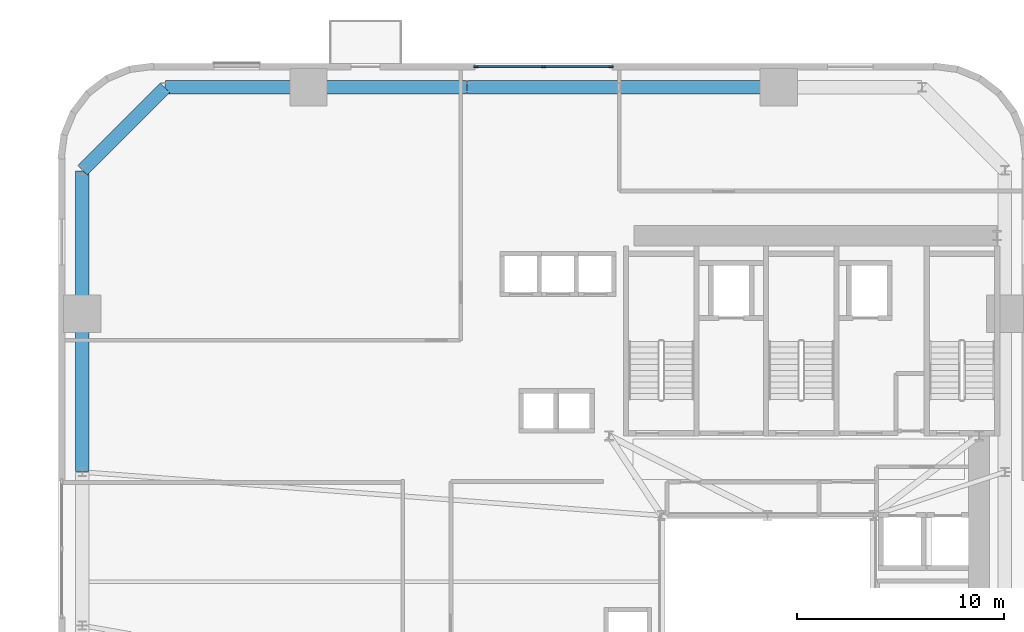
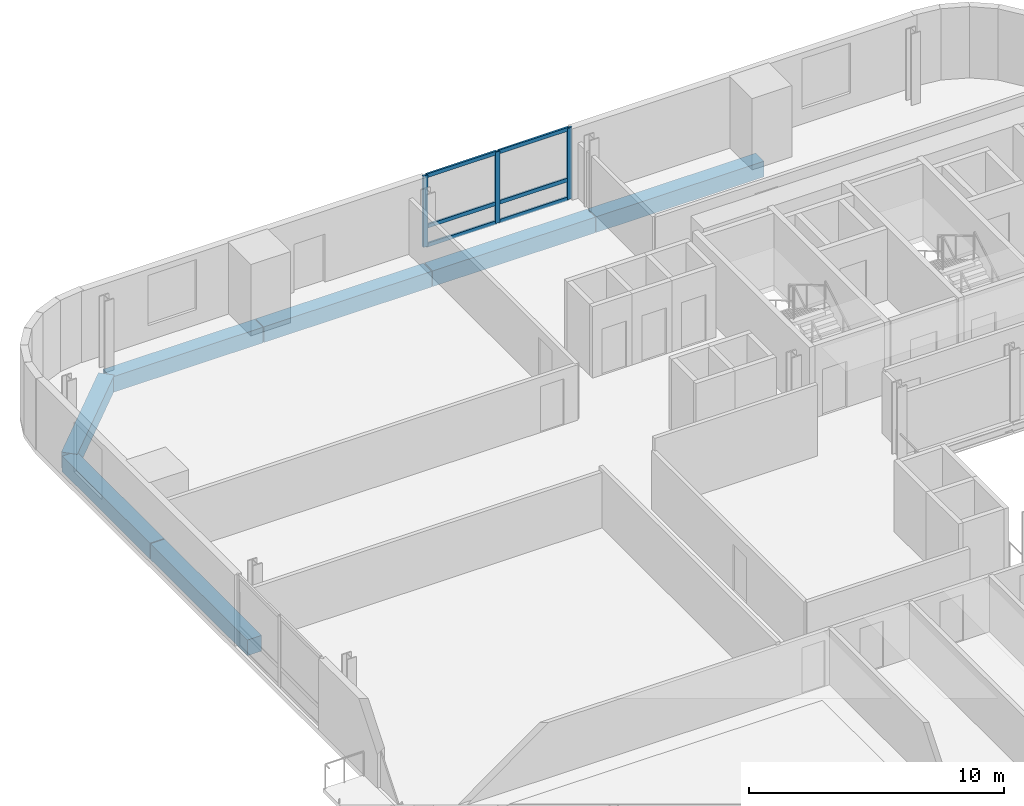
# One storey, part 4 of 12: 9 members, 7 beams, 1 element without a shape of its own.
"""IFC4 building model written with IfcOpenShell, lengths in metres."""

from ifc_helpers import new_model, si_unit, direction, frame, origin, origin_2d, place, context, subcontext, project, spatial, rectangle, extrude, source, transform, mapped, material, material_profile, profile_set, type_object, element, aggregate, save


model = new_model("IFC4")

# Units and contexts
model_context = context("Model", 3, precision=1e-05, world=origin(), true_north=direction((0.0, 1.0)))
body_context = subcontext(model_context, "Body", "Model", "MODEL_VIEW")
ifc_project = project(units=[si_unit("LENGTHUNIT", "METRE"), si_unit("AREAUNIT", "SQUARE_METRE"), si_unit("VOLUMEUNIT", "CUBIC_METRE"), si_unit("PLANEANGLEUNIT", "RADIAN"), si_unit("MASSUNIT", "GRAM", prefix="KILO")], contexts=[model_context])

# Site, building, storey
site_placement = place(None, origin())
site = spatial("IfcSite", under=ifc_project, at=site_placement, CompositionType="ELEMENT")
building_placement = place(site_placement, origin())
building = spatial("IfcBuilding", under=site, at=building_placement, Name="Vardaveli Station Tower", CompositionType="ELEMENT")
storey_placement = place(building_placement, frame((0.0, 0.0, 60.449951171875)))
storey = spatial("IfcBuildingStorey", under=building, at=storey_placement, Name="L15", CompositionType="ELEMENT", Elevation=60.449951171875)

# Beams
ifc_material_1 = material(Name="Precast concrete C45/55", Category="concrete")
ifc_material_profile_1 = material_profile(ifc_material_1, rectangle(XDim=0.64990234375, YDim=0.75, at=origin_2d()), Name="LPB 650x750")
ifc_profile_set_1 = profile_set([ifc_material_profile_1], Name="Precast concrete C45/55")
beam_type = type_object("IfcBeamType", Name="BM-LPB-750", PredefinedType="BEAM", material=ifc_profile_set_1)
shared_shape_1 = source(origin(), body_context, "Body", "SweptSolid", [
    extrude(rectangle(XDim=0.64990234375, YDim=0.75, at=origin_2d()), origin(), (0.0, 0.0, 1.0), 7.60009765625),
])
for number, where, z_axis, x_axis, name in (
    (1, (36.820068359375, 47.449951171875, -0.614990234375), (-1.0, 0.0, 0.0), (0.0, -1.0, 0.0), "RBM-L15-13"),
    (2, (21.780029296875, 47.449951171875, -0.614990234375), (-1.0, 0.0, 0.0), (0.0, -1.0, 0.0), "RBM-L15-15"),
    (3, (3.25, 36.52001953125, -0.614990234375), (0.0, -1.0, 0.0), (1.0, 0.0, 0.0), "RBM-L15-19"),
):
    element("IfcBeam", number, at=place(storey_placement, frame(where, z_axis=z_axis, x_axis=x_axis)), inside=storey, type_object=beam_type, Name=name, PredefinedType="BEAM", context=body_context, shape_type="MappedRepresentation", body=[
        mapped(shared_shape_1, transform((0.0, 0.0, 0.0), scale=1.0)),
    ])
shared_shape_2 = source(origin(), body_context, "Body", "SweptSolid", [
    extrude(rectangle(XDim=0.64990234375, YDim=0.75, at=origin_2d()), origin(), (0.0, 0.0, 1.0), 7.35986328125),
])
beam_1_placement = place(storey_placement, frame((29.179931640625, 47.449951171875, -0.614990234375), z_axis=(-1.0, 0.0, 0.0), x_axis=(0.0, -1.0, 0.0)))
element("IfcBeam", 4, at=beam_1_placement, inside=storey, type_object=beam_type, Name="RBM-L15-14", PredefinedType="BEAM", context=body_context, shape_type="MappedRepresentation", body=[
    mapped(shared_shape_2, transform((0.0, 0.0, 0.0), scale=1.0)),
])
shared_shape_3 = source(origin(), body_context, "Body", "SweptSolid", [
    extrude(rectangle(XDim=0.64990234375, YDim=0.75, at=origin_2d()), origin(), (0.0, 0.0, 1.0), 6.869873046875),
])
for number, where, z_axis, x_axis, name in (
    (5, (14.139892578125, 47.449951171875, -0.614990234375), (-1.0, 0.0, 0.0), (0.0, -1.0, 0.0), "RBM-L15-16"),
    (6, (3.25, 43.429931640625, -0.614990234375), (0.0, -1.0, 0.0), (1.0, 0.0, 0.0), "RBM-L15-18"),
):
    element("IfcBeam", number, at=place(storey_placement, frame(where, z_axis=z_axis, x_axis=x_axis)), inside=storey, type_object=beam_type, Name=name, PredefinedType="BEAM", context=body_context, shape_type="MappedRepresentation", body=[
        mapped(shared_shape_3, transform((0.0, 0.0, 0.0), scale=1.0)),
    ])
shared_shape_4 = source(origin(), body_context, "Body", "SweptSolid", [
    extrude(rectangle(XDim=0.64990234375, YDim=0.75, at=origin_2d()), origin(), (0.0, 0.0, 1.0), 5.61669921875),
])
beam_2_placement = place(storey_placement, frame((7.23583984375, 47.435791015625, -0.614990234375), z_axis=(-0.707106781187, -0.707106781187, 0.0), x_axis=(0.707106781187, -0.707106781187, 0.0)))
element("IfcBeam", 7, at=beam_2_placement, inside=storey, type_object=beam_type, Name="RBM-L15-17", PredefinedType="BEAM", context=body_context, shape_type="MappedRepresentation", body=[
    mapped(shared_shape_4, transform((0.0, 0.0, 0.0), scale=1.0)),
])

# Curtain wall, members
ifc_material_2 = material(Name="Travertine stone and solar-control glass", Category="masonry")
curtain_wall_type = type_object("IfcCurtainWallType", Name="CW-SYS-2", PredefinedType="NOTDEFINED", material=ifc_material_2)
curtain_wall_placement = place(storey_placement, origin())
curtain_wall = element("IfcCurtainWall", 8, at=curtain_wall_placement, inside=storey, type_object=curtain_wall_type, Name="CW-L15-N", PredefinedType="NOTDEFINED")
ifc_material_3 = material(Name="Anodised aluminium alloy 6063-T6", Category="aluminium")
ifc_material_profile_2 = material_profile(ifc_material_3, rectangle(XDim=0.0849609375, YDim=0.179931640625, at=origin_2d()), Name="CWT 85x180")
ifc_profile_set_2 = profile_set([ifc_material_profile_2], Name="Anodised aluminium alloy 6063-T6")
member_type_1 = type_object("IfcMemberType", Name="CW-SYS-2-TRAN", PredefinedType="NOTDEFINED", material=ifc_profile_set_2)
shared_shape_5 = source(origin(), body_context, "Body", "SweptSolid", [
    extrude(rectangle(XDim=0.0849609375, YDim=0.179931640625, at=origin_2d()), origin(), (0.0, 0.0, 1.0), 3.172607421875),
])
member_1_placement = place(storey_placement, frame((28.715087890625, 48.43994140625, 0.04248046875), z_axis=(-1.0, 0.0, 0.0), x_axis=(0.0, -1.0, 0.0)))
member_1 = element("IfcMember", 9, at=member_1_placement, type_object=member_type_1, Name="CW-2 transom 1.1", ObjectType="TRANSOM", PredefinedType="USERDEFINED", context=body_context, shape_type="MappedRepresentation", body=[
    mapped(shared_shape_5, transform((0.0, 0.0, 0.0), scale=1.0)),
])
member_2_placement = place(storey_placement, frame((28.715087890625, 48.43994140625, 0.949951171875), z_axis=(-1.0, 0.0, 0.0), x_axis=(0.0, -1.0, 0.0)))
member_2 = element("IfcMember", 10, at=member_2_placement, type_object=member_type_1, Name="CW-2 transom 1.2", ObjectType="TRANSOM", PredefinedType="USERDEFINED", context=body_context, shape_type="MappedRepresentation", body=[
    mapped(shared_shape_5, transform((0.0, 0.0, 0.0), scale=1.0)),
])
member_3_placement = place(storey_placement, frame((28.715087890625, 48.43994140625, 3.367431640625), z_axis=(-1.0, 0.0, 0.0), x_axis=(0.0, -1.0, 0.0)))
member_3 = element("IfcMember", 11, at=member_3_placement, type_object=member_type_1, Name="CW-2 transom 1.3", ObjectType="TRANSOM", PredefinedType="USERDEFINED", context=body_context, shape_type="MappedRepresentation", body=[
    mapped(shared_shape_5, transform((0.0, 0.0, 0.0), scale=1.0)),
])
member_4_placement = place(storey_placement, frame((25.45751953125, 48.43994140625, 0.04248046875), z_axis=(-1.0, 0.0, 0.0), x_axis=(0.0, -1.0, 0.0)))
member_4 = element("IfcMember", 12, at=member_4_placement, type_object=member_type_1, Name="CW-2 transom 2.1", ObjectType="TRANSOM", PredefinedType="USERDEFINED", context=body_context, shape_type="MappedRepresentation", body=[
    mapped(shared_shape_5, transform((0.0, 0.0, 0.0), scale=1.0)),
])
member_5_placement = place(storey_placement, frame((25.45751953125, 48.43994140625, 0.949951171875), z_axis=(-1.0, 0.0, 0.0), x_axis=(0.0, -1.0, 0.0)))
member_5 = element("IfcMember", 13, at=member_5_placement, type_object=member_type_1, Name="CW-2 transom 2.2", ObjectType="TRANSOM", PredefinedType="USERDEFINED", context=body_context, shape_type="MappedRepresentation", body=[
    mapped(shared_shape_5, transform((0.0, 0.0, 0.0), scale=1.0)),
])
member_6_placement = place(storey_placement, frame((25.45751953125, 48.43994140625, 3.367431640625), z_axis=(-1.0, 0.0, 0.0), x_axis=(0.0, -1.0, 0.0)))
member_6 = element("IfcMember", 14, at=member_6_placement, type_object=member_type_1, Name="CW-2 transom 2.3", ObjectType="TRANSOM", PredefinedType="USERDEFINED", context=body_context, shape_type="MappedRepresentation", body=[
    mapped(shared_shape_5, transform((0.0, 0.0, 0.0), scale=1.0)),
])
ifc_material_profile_3 = material_profile(ifc_material_3, rectangle(XDim=0.0849609375, YDim=0.219970703125, at=origin_2d()), Name="CWM 85x220")
ifc_profile_set_3 = profile_set([ifc_material_profile_3], Name="Anodised aluminium alloy 6063-T6")
member_type_2 = type_object("IfcMemberType", Name="CW-SYS-2-MULL", PredefinedType="MULLION", material=ifc_profile_set_3)
shared_shape_6 = source(origin(), body_context, "Body", "SweptSolid", [
    extrude(rectangle(XDim=0.0849609375, YDim=0.219970703125, at=origin_2d()), origin(), (0.0, 0.0, 1.0), 3.41015625),
])
member_7_placement = place(storey_placement, frame((28.757568359375, 48.43994140625, 0.0), z_axis=(0.0, 0.0, 1.0), x_axis=(0.0, -1.0, 0.0)))
member_7 = element("IfcMember", 15, at=member_7_placement, type_object=member_type_2, Name="CW-2 mullion 1", PredefinedType="MULLION", context=body_context, shape_type="MappedRepresentation", body=[
    mapped(shared_shape_6, transform((0.0, 0.0, 0.0), scale=1.0)),
])
member_8_placement = place(storey_placement, frame((25.5, 48.43994140625, 0.0), z_axis=(0.0, 0.0, 1.0), x_axis=(0.0, -1.0, 0.0)))
member_8 = element("IfcMember", 16, at=member_8_placement, type_object=member_type_2, Name="CW-2 mullion 2", PredefinedType="MULLION", context=body_context, shape_type="MappedRepresentation", body=[
    mapped(shared_shape_6, transform((0.0, 0.0, 0.0), scale=1.0)),
])
member_9_placement = place(storey_placement, frame((22.242431640625, 48.43994140625, 0.0), z_axis=(0.0, 0.0, 1.0), x_axis=(0.0, -1.0, 0.0)))
member_9 = element("IfcMember", 17, at=member_9_placement, type_object=member_type_2, Name="CW-2 mullion 3", PredefinedType="MULLION", context=body_context, shape_type="MappedRepresentation", body=[
    mapped(shared_shape_6, transform((0.0, 0.0, 0.0), scale=1.0)),
])
aggregate(curtain_wall, [member_7, member_8, member_9, member_1, member_2, member_3, member_4, member_5, member_6])

save(model, "model.ifc")
